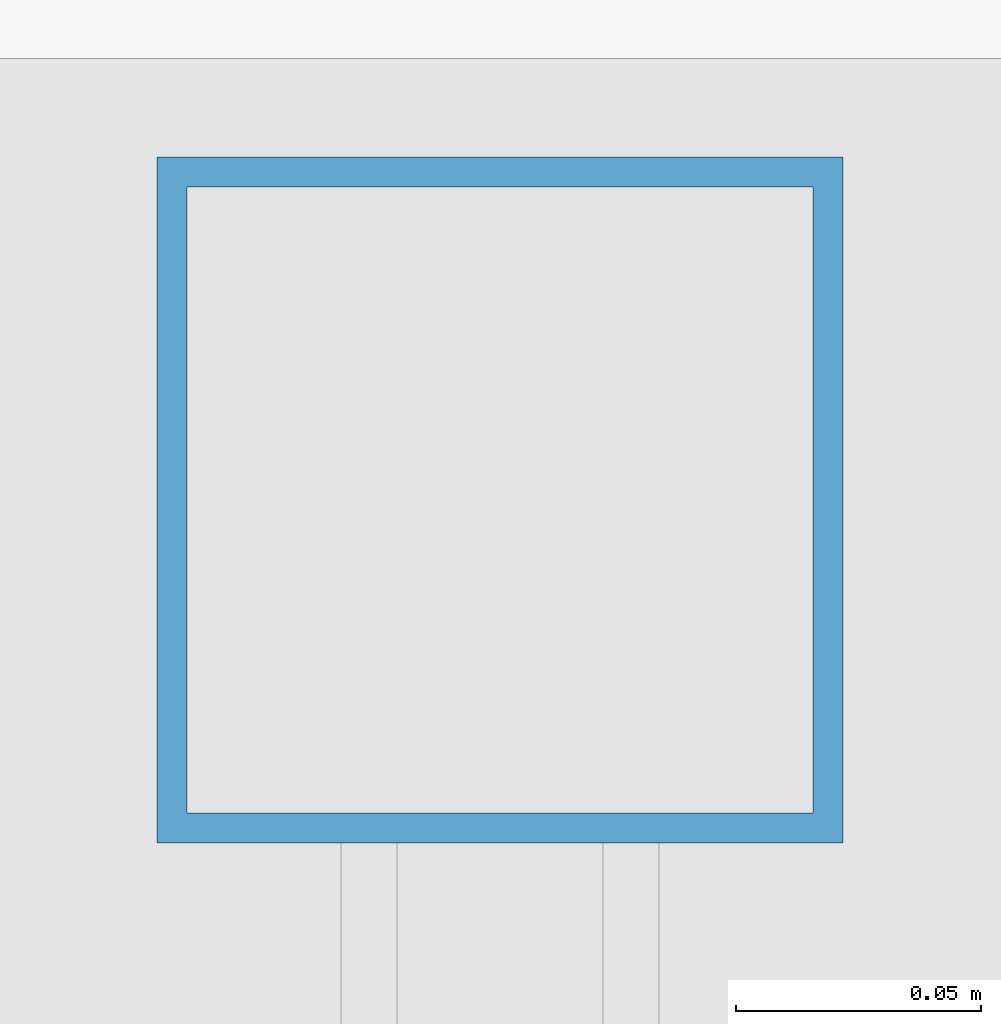
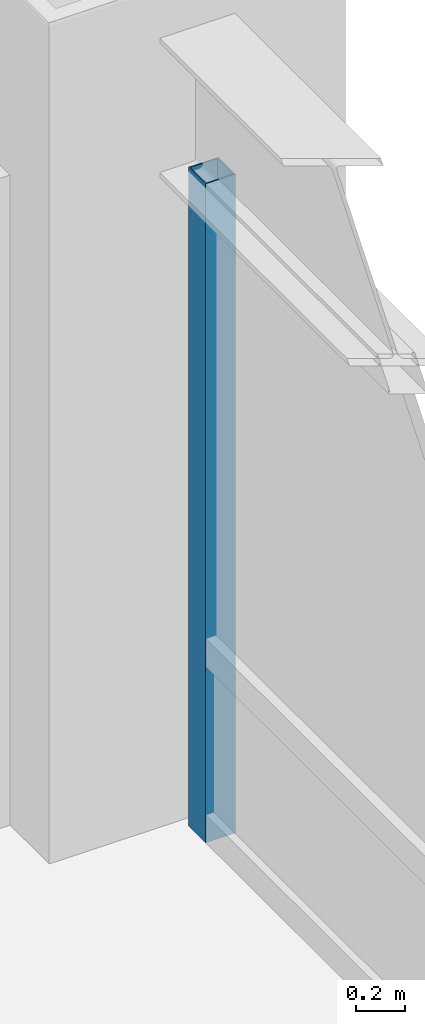
# One storey, part 16 of 29: 1 member, 1 element without a shape of its own.
"""IFC4 building model written with IfcOpenShell, lengths in metres."""

from ifc_helpers import new_model, si_unit, direction, frame, origin, origin_2d, place, context, subcontext, project, spatial, hollow_rectangle, extrude, source, transform, mapped, material, material_profile, profile_set, type_object, element, aggregate, save


model = new_model("IFC4")

# Units and contexts
model_context = context("Model", 3, precision=1e-05, world=origin(), true_north=direction((0.0, 1.0)))
body_context = subcontext(model_context, "Body", "Model", "MODEL_VIEW")
ifc_project = project(units=[si_unit("LENGTHUNIT", "METRE"), si_unit("AREAUNIT", "SQUARE_METRE"), si_unit("VOLUMEUNIT", "CUBIC_METRE"), si_unit("PLANEANGLEUNIT", "RADIAN"), si_unit("MASSUNIT", "GRAM", prefix="KILO")], contexts=[model_context])

# Site, building, storey
site_placement = place(None, origin())
site = spatial("IfcSite", under=ifc_project, at=site_placement, CompositionType="ELEMENT")
building_placement = place(site_placement, origin())
building = spatial("IfcBuilding", under=site, at=building_placement, Name="Khorayat Bourse Tower", CompositionType="ELEMENT")
storey_placement = place(building_placement, frame((0.0, 0.0, 87.199951171875)))
storey = spatial("IfcBuildingStorey", under=building, at=storey_placement, Name="L19", CompositionType="ELEMENT", Elevation=87.199951171875)

# Curtain wall, member
ifc_material = material(Name="Aluminium EN AW-6063 T6", Category="aluminium")
curtain_wall_type = type_object("IfcCurtainWallType", Name="CW-SYS-02", PredefinedType="NOTDEFINED", material=ifc_material)
curtain_wall_placement = place(storey_placement, origin())
curtain_wall = element("IfcCurtainWall", 1, at=curtain_wall_placement, inside=storey, type_object=curtain_wall_type, Name="L19 Curtain Wall CW-L19-E1", PredefinedType="NOTDEFINED")
ifc_material_profile = material_profile(ifc_material, hollow_rectangle(XDim=0.139892578125, YDim=0.139892578125, WallThickness=0.006103515625, at=origin_2d()), Name="ALU 140x140x6")
ifc_profile_set = profile_set([ifc_material_profile], Name="Aluminium EN AW-6063 T6")
member_type = type_object("IfcMemberType", Name="CWM-VERT-140", PredefinedType="MULLION", material=ifc_profile_set)
shared_shape = source(origin(), body_context, "Body", "SweptSolid", [
    extrude(hollow_rectangle(XDim=0.139892578125, YDim=0.139892578125, WallThickness=0.006103515625, at=origin_2d()), origin(), (0.0, 0.0, 1.0), 3.2900390625),
])
member_placement = place(storey_placement, frame((32.0, 27.679931640625, 0.0), z_axis=(0.0, 0.0, 1.0), x_axis=(-1.0, 0.0, 0.0)))
member = element("IfcMember", 2, at=member_placement, type_object=member_type, Name="CW-L19-E1 Vertical Mullion 3", PredefinedType="MULLION", context=body_context, shape_type="MappedRepresentation", body=[
    mapped(shared_shape, transform((0.0, 0.0, 0.0), scale=1.0)),
])
aggregate(curtain_wall, [member])

save(model, "model.ifc")
